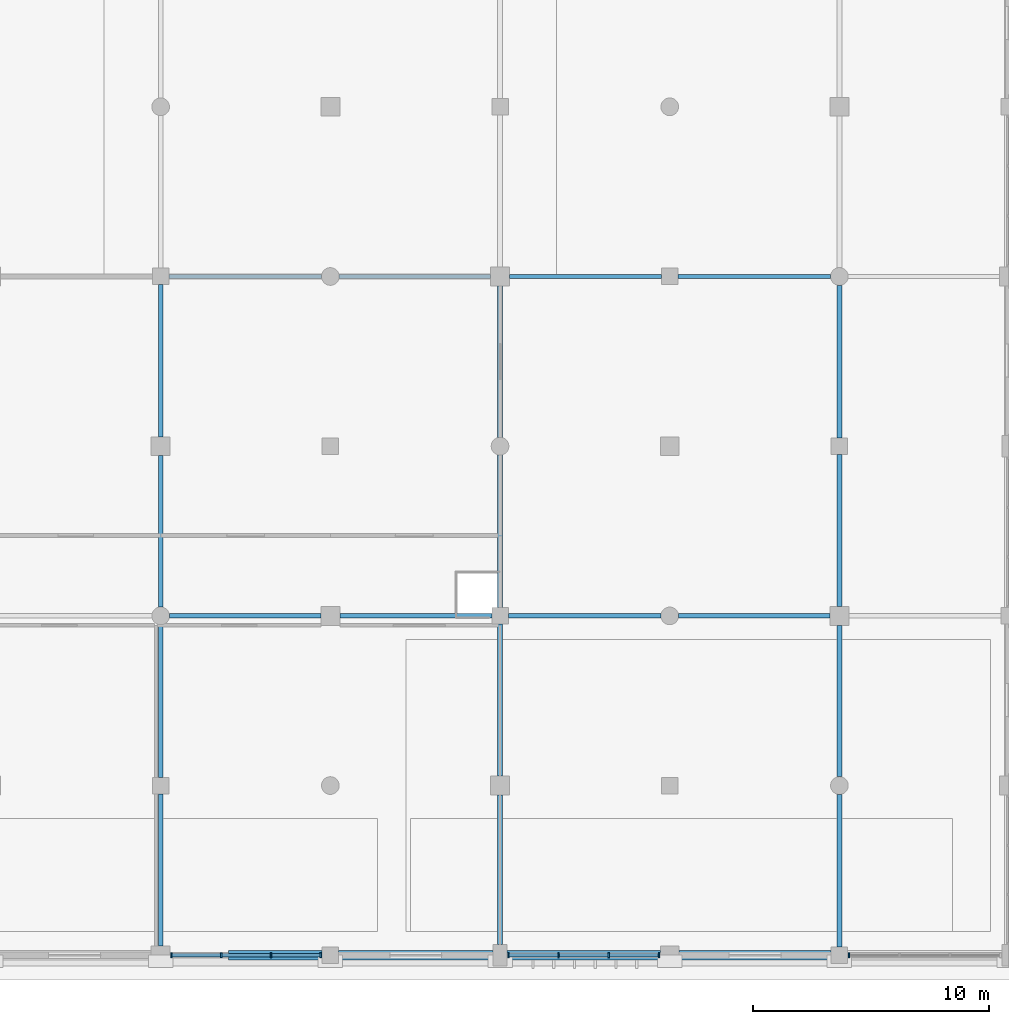
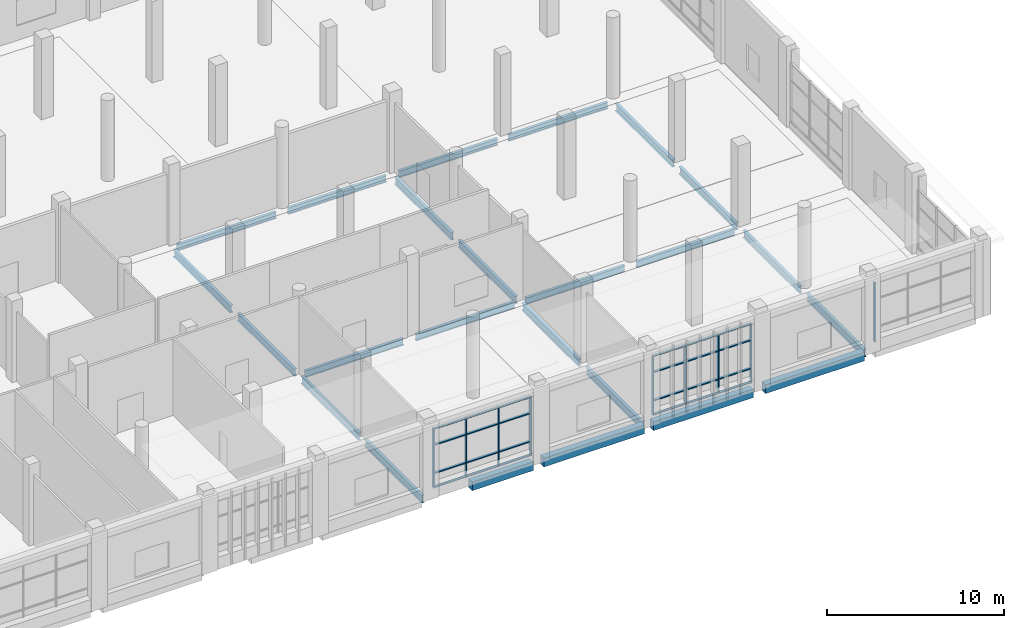
# One storey, part 29 of 80: 33 members, 24 beams, 3 elements without a shape of their own.
"""IFC4 building model written with IfcOpenShell, lengths in metres."""

from ifc_helpers import new_model, si_unit, direction, frame, origin, origin_2d, place, context, subcontext, project, spatial, rectangle, i_section, extrude, material, material_profile, profile_set, type_object, element, aggregate, save


model = new_model("IFC4")

# Units and contexts
model_context = context("Model", 3, precision=1e-05, world=origin(), true_north=direction((0.0, 1.0)))
body_context = subcontext(model_context, "Body", "Model", "MODEL_VIEW")
ifc_project = project(units=[si_unit("LENGTHUNIT", "METRE"), si_unit("AREAUNIT", "SQUARE_METRE"), si_unit("VOLUMEUNIT", "CUBIC_METRE"), si_unit("PLANEANGLEUNIT", "RADIAN"), si_unit("MASSUNIT", "GRAM", prefix="KILO")], contexts=[model_context])

# Site, building, storey
site_placement = place(None, origin())
site = spatial("IfcSite", under=ifc_project, at=site_placement, CompositionType="ELEMENT")
building_placement = place(site_placement, origin())
building = spatial("IfcBuilding", under=site, at=building_placement, Name="Sardonyx Promenade Sports Hall", CompositionType="ELEMENT")
storey_placement = place(building_placement, frame((0.0, 0.0, 5.60009765625)))
storey = spatial("IfcBuildingStorey", under=building, at=storey_placement, Name="L01", CompositionType="ELEMENT", Elevation=5.60009765625)

# Beams
ifc_material_1 = material(Name="Steel S355JR", Category="steel")
ifc_material_profile_1 = material_profile(ifc_material_1, i_section(OverallWidth=0.18994140625, OverallDepth=0.453369140625, WebThickness=0.008544921875, FlangeThickness=0.0126953125, at=origin_2d()))
ifc_profile_set_1 = profile_set([ifc_material_profile_1], Name="Steel S355JR")
beam_type_1 = type_object("IfcBeamType", Name="Bm_Girder_UB457", PredefinedType="BEAM", material=ifc_profile_set_1)
beam_1_placement = place(storey_placement, frame((129.97509765625, 14.39990234375, -0.5068359375), z_axis=(1.0, 0.0, 0.0), x_axis=(0.0, 1.0, 0.0)))
element("IfcBeam", 1, at=beam_1_placement, inside=storey, type_object=beam_type_1, Name="Beam SB01 L01 #203", PredefinedType="BEAM", context=body_context, shape_type="SweptSolid", body=[
    extrude(i_section(OverallWidth=0.18994140625, OverallDepth=0.453369140625, WebThickness=0.008544921875, FlangeThickness=0.0126953125, at=origin_2d()), origin(), (0.0, 0.0, 1.0), 6.4248046875),
])
beam_2_placement = place(storey_placement, frame((137.199951171875, 14.39990234375, -0.5068359375), z_axis=(1.0, 0.0, 0.0), x_axis=(0.0, 1.0, 0.0)))
element("IfcBeam", 2, at=beam_2_placement, inside=storey, type_object=beam_type_1, Name="Beam SB01 L01 #204", PredefinedType="BEAM", context=body_context, shape_type="SweptSolid", body=[
    extrude(i_section(OverallWidth=0.18994140625, OverallDepth=0.453369140625, WebThickness=0.008544921875, FlangeThickness=0.0126953125, at=origin_2d()), origin(), (0.0, 0.0, 1.0), 6.449951171875),
])
beam_3_placement = place(storey_placement, frame((144.35009765625, 14.39990234375, -0.516845703125), z_axis=(1.0, 0.0, 0.0), x_axis=(0.0, 1.0, 0.0)))
element("IfcBeam", 3, at=beam_3_placement, inside=storey, type_object=beam_type_1, Name="Beam SB01 L01 #205", PredefinedType="BEAM", context=body_context, shape_type="SweptSolid", body=[
    extrude(i_section(OverallWidth=0.18994140625, OverallDepth=0.453369140625, WebThickness=0.008544921875, FlangeThickness=0.0126953125, at=origin_2d()), origin(), (0.0, 0.0, 1.0), 6.474853515625),
])
beam_4_placement = place(storey_placement, frame((151.574951171875, 14.39990234375, -0.516845703125), z_axis=(1.0, 0.0, 0.0), x_axis=(0.0, 1.0, 0.0)))
element("IfcBeam", 4, at=beam_4_placement, inside=storey, type_object=beam_type_1, Name="Beam SB01 L01 #206", PredefinedType="BEAM", context=body_context, shape_type="SweptSolid", body=[
    extrude(i_section(OverallWidth=0.18994140625, OverallDepth=0.453369140625, WebThickness=0.008544921875, FlangeThickness=0.0126953125, at=origin_2d()), origin(), (0.0, 0.0, 1.0), 6.425048828125),
])
beam_5_placement = place(storey_placement, frame((129.949951171875, 28.800048828125, -0.516845703125), z_axis=(1.0, 0.0, 0.0), x_axis=(0.0, 1.0, 0.0)))
element("IfcBeam", 5, at=beam_5_placement, inside=storey, type_object=beam_type_1, Name="Beam SB01 L01 #226", PredefinedType="BEAM", context=body_context, shape_type="SweptSolid", body=[
    extrude(i_section(OverallWidth=0.18994140625, OverallDepth=0.453369140625, WebThickness=0.008544921875, FlangeThickness=0.0126953125, at=origin_2d()), origin(), (0.0, 0.0, 1.0), 6.47509765625),
])
beam_6_placement = place(storey_placement, frame((137.175048828125, 28.800048828125, -0.516845703125), z_axis=(1.0, 0.0, 0.0), x_axis=(0.0, 1.0, 0.0)))
element("IfcBeam", 6, at=beam_6_placement, inside=storey, type_object=beam_type_1, Name="Beam SB01 L01 #227", PredefinedType="BEAM", context=body_context, shape_type="SweptSolid", body=[
    extrude(i_section(OverallWidth=0.18994140625, OverallDepth=0.453369140625, WebThickness=0.008544921875, FlangeThickness=0.0126953125, at=origin_2d()), origin(), (0.0, 0.0, 1.0), 6.425048828125),
])
beam_7_placement = place(storey_placement, frame((144.39990234375, 28.800048828125, -0.516845703125), z_axis=(1.0, 0.0, 0.0), x_axis=(0.0, 1.0, 0.0)))
element("IfcBeam", 7, at=beam_7_placement, inside=storey, type_object=beam_type_1, Name="Beam SB01 L01 #228", PredefinedType="BEAM", context=body_context, shape_type="SweptSolid", body=[
    extrude(i_section(OverallWidth=0.18994140625, OverallDepth=0.453369140625, WebThickness=0.008544921875, FlangeThickness=0.0126953125, at=origin_2d()), origin(), (0.0, 0.0, 1.0), 6.4501953125),
])
beam_8_placement = place(storey_placement, frame((151.550048828125, 28.800048828125, -0.516845703125), z_axis=(1.0, 0.0, 0.0), x_axis=(0.0, 1.0, 0.0)))
element("IfcBeam", 8, at=beam_8_placement, inside=storey, type_object=beam_type_1, Name="Beam SB01 L01 #229", PredefinedType="BEAM", context=body_context, shape_type="SweptSolid", body=[
    extrude(i_section(OverallWidth=0.18994140625, OverallDepth=0.453369140625, WebThickness=0.008544921875, FlangeThickness=0.0126953125, at=origin_2d()), origin(), (0.0, 0.0, 1.0), 6.474853515625),
])
ifc_material_2 = material(Name="Steel S355JR", Category="steel")
ifc_material_profile_2 = material_profile(ifc_material_2, i_section(OverallWidth=0.199951171875, OverallDepth=0.5, WebThickness=0.01025390625, FlangeThickness=0.01611328125, at=origin_2d()))
ifc_profile_set_2 = profile_set([ifc_material_profile_2], Name="Steel S355JR")
beam_type_2 = type_object("IfcBeamType", Name="Bm_Primary_IPE500", PredefinedType="BEAM", material=ifc_profile_set_2)
beam_9_placement = place(storey_placement, frame((129.60009765625, 0.39990234375, -0.530029296875), z_axis=(0.0, 1.0, 0.0), x_axis=(-1.0, 0.0, 0.0)))
element("IfcBeam", 9, at=beam_9_placement, inside=storey, type_object=beam_type_2, Name="Beam SB06 L01 #405", PredefinedType="BEAM", context=body_context, shape_type="SweptSolid", body=[
    extrude(i_section(OverallWidth=0.199951171875, OverallDepth=0.5, WebThickness=0.01025390625, FlangeThickness=0.01611328125, at=origin_2d()), origin(), (0.0, 0.0, 1.0), 6.4501953125),
])
beam_10_placement = place(storey_placement, frame((129.60009765625, 7.550048828125, -0.530029296875), z_axis=(0.0, 1.0, 0.0), x_axis=(-1.0, 0.0, 0.0)))
element("IfcBeam", 10, at=beam_10_placement, inside=storey, type_object=beam_type_2, Name="Beam SB06 L01 #406", PredefinedType="BEAM", context=body_context, shape_type="SweptSolid", body=[
    extrude(i_section(OverallWidth=0.199951171875, OverallDepth=0.5, WebThickness=0.01025390625, FlangeThickness=0.01611328125, at=origin_2d()), origin(), (0.0, 0.0, 1.0), 6.474853515625),
])
beam_11_placement = place(storey_placement, frame((129.60009765625, 14.77490234375, -0.530029296875), z_axis=(0.0, 1.0, 0.0), x_axis=(-1.0, 0.0, 0.0)))
element("IfcBeam", 11, at=beam_11_placement, inside=storey, type_object=beam_type_2, Name="Beam SB06 L01 #407", PredefinedType="BEAM", context=body_context, shape_type="SweptSolid", body=[
    extrude(i_section(OverallWidth=0.199951171875, OverallDepth=0.5, WebThickness=0.01025390625, FlangeThickness=0.01611328125, at=origin_2d()), origin(), (0.0, 0.0, 1.0), 6.425048828125),
])
beam_12_placement = place(storey_placement, frame((129.60009765625, 22.0, -0.530029296875), z_axis=(0.0, 1.0, 0.0), x_axis=(-1.0, 0.0, 0.0)))
element("IfcBeam", 12, at=beam_12_placement, inside=storey, type_object=beam_type_2, Name="Beam SB06 L01 #408", PredefinedType="BEAM", context=body_context, shape_type="SweptSolid", body=[
    extrude(i_section(OverallWidth=0.199951171875, OverallDepth=0.5, WebThickness=0.01025390625, FlangeThickness=0.01611328125, at=origin_2d()), origin(), (0.0, 0.0, 1.0), 6.449951171875),
])
beam_13_placement = place(storey_placement, frame((144.0, 0.449951171875, -0.5400390625), z_axis=(0.0, 1.0, 0.0), x_axis=(-1.0, 0.0, 0.0)))
element("IfcBeam", 13, at=beam_13_placement, inside=storey, type_object=beam_type_2, Name="Beam SB06 L01 #414", PredefinedType="BEAM", context=body_context, shape_type="SweptSolid", body=[
    extrude(i_section(OverallWidth=0.199951171875, OverallDepth=0.5, WebThickness=0.01025390625, FlangeThickness=0.01611328125, at=origin_2d()), origin(), (0.0, 0.0, 1.0), 6.35009765625),
])
beam_14_placement = place(storey_placement, frame((144.0, 7.60009765625, -0.5400390625), z_axis=(0.0, 1.0, 0.0), x_axis=(-1.0, 0.0, 0.0)))
element("IfcBeam", 14, at=beam_14_placement, inside=storey, type_object=beam_type_2, Name="Beam SB06 L01 #415", PredefinedType="BEAM", context=body_context, shape_type="SweptSolid", body=[
    extrude(i_section(OverallWidth=0.199951171875, OverallDepth=0.5, WebThickness=0.01025390625, FlangeThickness=0.01611328125, at=origin_2d()), origin(), (0.0, 0.0, 1.0), 6.449951171875),
])
beam_15_placement = place(storey_placement, frame((144.0, 14.75, -0.5400390625), z_axis=(0.0, 1.0, 0.0), x_axis=(-1.0, 0.0, 0.0)))
element("IfcBeam", 15, at=beam_15_placement, inside=storey, type_object=beam_type_2, Name="Beam SB06 L01 #416", PredefinedType="BEAM", context=body_context, shape_type="SweptSolid", body=[
    extrude(i_section(OverallWidth=0.199951171875, OverallDepth=0.5, WebThickness=0.01025390625, FlangeThickness=0.01611328125, at=origin_2d()), origin(), (0.0, 0.0, 1.0), 6.47509765625),
])
beam_16_placement = place(storey_placement, frame((144.0, 21.97509765625, -0.5400390625), z_axis=(0.0, 1.0, 0.0), x_axis=(-1.0, 0.0, 0.0)))
element("IfcBeam", 16, at=beam_16_placement, inside=storey, type_object=beam_type_2, Name="Beam SB06 L01 #417", PredefinedType="BEAM", context=body_context, shape_type="SweptSolid", body=[
    extrude(i_section(OverallWidth=0.199951171875, OverallDepth=0.5, WebThickness=0.01025390625, FlangeThickness=0.01611328125, at=origin_2d()), origin(), (0.0, 0.0, 1.0), 6.4248046875),
])
beam_17_placement = place(storey_placement, frame((158.39990234375, 0.35009765625, -0.5400390625), z_axis=(0.0, 1.0, 0.0), x_axis=(-1.0, 0.0, 0.0)))
element("IfcBeam", 17, at=beam_17_placement, inside=storey, type_object=beam_type_2, Name="Beam SB06 L01 #423", PredefinedType="BEAM", context=body_context, shape_type="SweptSolid", body=[
    extrude(i_section(OverallWidth=0.199951171875, OverallDepth=0.5, WebThickness=0.01025390625, FlangeThickness=0.01611328125, at=origin_2d()), origin(), (0.0, 0.0, 1.0), 6.474853515625),
])
beam_18_placement = place(storey_placement, frame((158.39990234375, 7.574951171875, -0.5400390625), z_axis=(0.0, 1.0, 0.0), x_axis=(-1.0, 0.0, 0.0)))
element("IfcBeam", 18, at=beam_18_placement, inside=storey, type_object=beam_type_2, Name="Beam SB06 L01 #424", PredefinedType="BEAM", context=body_context, shape_type="SweptSolid", body=[
    extrude(i_section(OverallWidth=0.199951171875, OverallDepth=0.5, WebThickness=0.01025390625, FlangeThickness=0.01611328125, at=origin_2d()), origin(), (0.0, 0.0, 1.0), 6.425048828125),
])
beam_19_placement = place(storey_placement, frame((158.39990234375, 14.800048828125, -0.5400390625), z_axis=(0.0, 1.0, 0.0), x_axis=(-1.0, 0.0, 0.0)))
element("IfcBeam", 19, at=beam_19_placement, inside=storey, type_object=beam_type_2, Name="Beam SB06 L01 #425", PredefinedType="BEAM", context=body_context, shape_type="SweptSolid", body=[
    extrude(i_section(OverallWidth=0.199951171875, OverallDepth=0.5, WebThickness=0.01025390625, FlangeThickness=0.01611328125, at=origin_2d()), origin(), (0.0, 0.0, 1.0), 6.449951171875),
])
beam_20_placement = place(storey_placement, frame((158.39990234375, 21.949951171875, -0.5400390625), z_axis=(0.0, 1.0, 0.0), x_axis=(-1.0, 0.0, 0.0)))
element("IfcBeam", 20, at=beam_20_placement, inside=storey, type_object=beam_type_2, Name="Beam SB06 L01 #426", PredefinedType="BEAM", context=body_context, shape_type="SweptSolid", body=[
    extrude(i_section(OverallWidth=0.199951171875, OverallDepth=0.5, WebThickness=0.01025390625, FlangeThickness=0.01611328125, at=origin_2d()), origin(), (0.0, 0.0, 1.0), 6.47509765625),
])
ifc_material_3 = material(Name="Concrete C40/50", Category="concrete")
ifc_material_profile_3 = material_profile(ifc_material_3, rectangle(XDim=0.39990234375, YDim=0.60009765625, at=origin_2d()))
ifc_profile_set_3 = profile_set([ifc_material_profile_3], Name="Concrete C40/50")
beam_type_3 = type_object("IfcBeamType", Name="Bm_Spandrel_RC600", PredefinedType="SPANDREL", material=ifc_profile_set_3)
beam_21_placement = place(storey_placement, frame((132.47509765625, 0.0, -0.300048828125), z_axis=(1.0, 0.0, 0.0), x_axis=(0.0, 1.0, 0.0)))
element("IfcBeam", 21, at=beam_21_placement, inside=storey, type_object=beam_type_3, Name="Beam SPB1 L01 #180", PredefinedType="SPANDREL", context=body_context, shape_type="SweptSolid", body=[
    extrude(rectangle(XDim=0.39990234375, YDim=0.60009765625, at=origin_2d()), origin(), (0.0, 0.0, 1.0), 3.974853515625),
])
beam_22_placement = place(storey_placement, frame((137.14990234375, 0.0, -0.300048828125), z_axis=(1.0, 0.0, 0.0), x_axis=(0.0, 1.0, 0.0)))
element("IfcBeam", 22, at=beam_22_placement, inside=storey, type_object=beam_type_3, Name="Beam SPB1 L01 #181", PredefinedType="SPANDREL", context=body_context, shape_type="SweptSolid", body=[
    extrude(rectangle(XDim=0.39990234375, YDim=0.60009765625, at=origin_2d()), origin(), (0.0, 0.0, 1.0), 6.550048828125),
])
beam_23_placement = place(storey_placement, frame((144.300048828125, 0.0, -0.300048828125), z_axis=(1.0, 0.0, 0.0), x_axis=(0.0, 1.0, 0.0)))
element("IfcBeam", 23, at=beam_23_placement, inside=storey, type_object=beam_type_3, Name="Beam SPB1 L01 #182", PredefinedType="SPANDREL", context=body_context, shape_type="SweptSolid", body=[
    extrude(rectangle(XDim=0.39990234375, YDim=0.60009765625, at=origin_2d()), origin(), (0.0, 0.0, 1.0), 6.5),
])
beam_24_placement = place(storey_placement, frame((151.60009765625, 0.0, -0.300048828125), z_axis=(1.0, 0.0, 0.0), x_axis=(0.0, 1.0, 0.0)))
element("IfcBeam", 24, at=beam_24_placement, inside=storey, type_object=beam_type_3, Name="Beam SPB1 L01 #183", PredefinedType="SPANDREL", context=body_context, shape_type="SweptSolid", body=[
    extrude(rectangle(XDim=0.39990234375, YDim=0.60009765625, at=origin_2d()), origin(), (0.0, 0.0, 1.0), 6.449951171875),
])

# Curtain wall, member
ifc_material_4 = material(Name="Aluminium 6063-T6", Category="aluminium")
curtain_wall_type = type_object("IfcCurtainWallType", Name="CW_South_L01_640", PredefinedType="USERDEFINED", material=ifc_material_4)
curtain_wall_1_placement = place(storey_placement, origin())
curtain_wall_1 = element("IfcCurtainWall", 25, at=curtain_wall_1_placement, inside=storey, type_object=curtain_wall_type, Name="Curtain wall CW08 cw:L01:017", ObjectType="CURTAIN WALL", PredefinedType="USERDEFINED")
ifc_material_5 = material(Name="Aluminium 6063-T6", Category="aluminium")
ifc_material_profile_4 = material_profile(ifc_material_5, rectangle(XDim=0.070068359375, YDim=0.199951171875, at=origin_2d()))
ifc_profile_set_4 = profile_set([ifc_material_profile_4], Name="Aluminium 6063-T6")
member_type_1 = type_object("IfcMemberType", Name="CW_Mull_200", PredefinedType="MULLION", material=ifc_profile_set_4)
member_1_placement = place(storey_placement, frame((158.804931640625, 0.0, 0.349853515625), z_axis=(0.0, 0.0, 1.0), x_axis=(-1.0, 0.0, 0.0)))
member_1 = element("IfcMember", 26, at=member_1_placement, type_object=member_type_1, Name="Mullion CM03 cw:L01:017 #4", PredefinedType="MULLION", context=body_context, shape_type="SweptSolid", body=[
    extrude(rectangle(XDim=0.070068359375, YDim=0.199951171875, at=origin_2d()), origin(), (0.0, 0.0, 1.0), 4.10009765625),
])
aggregate(curtain_wall_1, [member_1])

# Curtain wall, members
curtain_wall_2_placement = place(storey_placement, origin())
curtain_wall_2 = element("IfcCurtainWall", 27, at=curtain_wall_2_placement, inside=storey, type_object=curtain_wall_type, Name="Curtain wall CW08 cw:L01:018", ObjectType="CURTAIN WALL", PredefinedType="USERDEFINED")
member_2_placement = place(storey_placement, frame((150.7451171875, 0.0, 0.349853515625), z_axis=(0.0, 0.0, 1.0), x_axis=(-1.0, 0.0, 0.0)))
member_2 = element("IfcMember", 28, at=member_2_placement, type_object=member_type_1, Name="Mullion CM03 cw:L01:018 #1", PredefinedType="MULLION", context=body_context, shape_type="SweptSolid", body=[
    extrude(rectangle(XDim=0.070068359375, YDim=0.199951171875, at=origin_2d()), origin(), (0.0, 0.0, 1.0), 4.10009765625),
])
member_3_placement = place(storey_placement, frame((148.614990234375, 0.0, 0.349853515625), z_axis=(0.0, 0.0, 1.0), x_axis=(-1.0, 0.0, 0.0)))
member_3 = element("IfcMember", 29, at=member_3_placement, type_object=member_type_1, Name="Mullion CM03 cw:L01:018 #2", PredefinedType="MULLION", context=body_context, shape_type="SweptSolid", body=[
    extrude(rectangle(XDim=0.070068359375, YDim=0.199951171875, at=origin_2d()), origin(), (0.0, 0.0, 1.0), 4.10009765625),
])
member_4_placement = place(storey_placement, frame((146.485107421875, 0.0, 0.349853515625), z_axis=(0.0, 0.0, 1.0), x_axis=(-1.0, 0.0, 0.0)))
member_4 = element("IfcMember", 30, at=member_4_placement, type_object=member_type_1, Name="Mullion CM03 cw:L01:018 #3", PredefinedType="MULLION", context=body_context, shape_type="SweptSolid", body=[
    extrude(rectangle(XDim=0.070068359375, YDim=0.199951171875, at=origin_2d()), origin(), (0.0, 0.0, 1.0), 4.10009765625),
])
member_5_placement = place(storey_placement, frame((144.35498046875, 0.0, 0.349853515625), z_axis=(0.0, 0.0, 1.0), x_axis=(-1.0, 0.0, 0.0)))
member_5 = element("IfcMember", 31, at=member_5_placement, type_object=member_type_1, Name="Mullion CM03 cw:L01:018 #4", PredefinedType="MULLION", context=body_context, shape_type="SweptSolid", body=[
    extrude(rectangle(XDim=0.070068359375, YDim=0.199951171875, at=origin_2d()), origin(), (0.0, 0.0, 1.0), 4.10009765625),
])

curtain_wall_3_placement = place(storey_placement, origin())
curtain_wall_3 = element("IfcCurtainWall", 32, at=curtain_wall_3_placement, inside=storey, type_object=curtain_wall_type, Name="Curtain wall CW08 cw:L01:019", ObjectType="CURTAIN WALL", PredefinedType="USERDEFINED")
member_6_placement = place(storey_placement, frame((136.39501953125, 0.0, 0.349853515625), z_axis=(0.0, 0.0, 1.0), x_axis=(-1.0, 0.0, 0.0)))
member_6 = element("IfcMember", 33, at=member_6_placement, type_object=member_type_1, Name="Mullion CM03 cw:L01:019 #1", PredefinedType="MULLION", context=body_context, shape_type="SweptSolid", body=[
    extrude(rectangle(XDim=0.070068359375, YDim=0.199951171875, at=origin_2d()), origin(), (0.0, 0.0, 1.0), 4.10009765625),
])
member_7_placement = place(storey_placement, frame((134.28173828125, 0.0, 0.349853515625), z_axis=(0.0, 0.0, 1.0), x_axis=(-1.0, 0.0, 0.0)))
member_7 = element("IfcMember", 34, at=member_7_placement, type_object=member_type_1, Name="Mullion CM03 cw:L01:019 #2", PredefinedType="MULLION", context=body_context, shape_type="SweptSolid", body=[
    extrude(rectangle(XDim=0.070068359375, YDim=0.199951171875, at=origin_2d()), origin(), (0.0, 0.0, 1.0), 4.10009765625),
])
member_8_placement = place(storey_placement, frame((132.168212890625, 0.0, 0.349853515625), z_axis=(0.0, 0.0, 1.0), x_axis=(-1.0, 0.0, 0.0)))
member_8 = element("IfcMember", 35, at=member_8_placement, type_object=member_type_1, Name="Mullion CM03 cw:L01:019 #3", PredefinedType="MULLION", context=body_context, shape_type="SweptSolid", body=[
    extrude(rectangle(XDim=0.070068359375, YDim=0.199951171875, at=origin_2d()), origin(), (0.0, 0.0, 1.0), 4.10009765625),
])
member_9_placement = place(storey_placement, frame((130.054931640625, 0.0, 0.349853515625), z_axis=(0.0, 0.0, 1.0), x_axis=(-1.0, 0.0, 0.0)))
member_9 = element("IfcMember", 36, at=member_9_placement, type_object=member_type_1, Name="Mullion CM03 cw:L01:019 #4", PredefinedType="MULLION", context=body_context, shape_type="SweptSolid", body=[
    extrude(rectangle(XDim=0.070068359375, YDim=0.199951171875, at=origin_2d()), origin(), (0.0, 0.0, 1.0), 4.10009765625),
])

# Member
ifc_material_6 = material(Name="Aluminium 6063-T6", Category="aluminium")
ifc_material_profile_5 = material_profile(ifc_material_6, rectangle(XDim=0.070068359375, YDim=0.159912109375, at=origin_2d()))
ifc_profile_set_5 = profile_set([ifc_material_profile_5], Name="Aluminium 6063-T6")
member_type_2 = type_object("IfcMemberType", Name="CW_Tran_160", PredefinedType="USERDEFINED", material=ifc_profile_set_5)
member_10_placement = place(storey_placement, frame((150.7099609375, 0.0, 0.385009765625), z_axis=(-1.0, 0.0, 0.0), x_axis=(0.0, 0.0, 1.0)))
member_10 = element("IfcMember", 37, at=member_10_placement, type_object=member_type_2, Name="Transom CT03 cw:L01:018 #1", ObjectType="TRANSOM", PredefinedType="USERDEFINED", context=body_context, shape_type="SweptSolid", body=[
    extrude(rectangle(XDim=0.070068359375, YDim=0.159912109375, at=origin_2d()), origin(), (0.0, 0.0, 1.0), 2.06005859375),
])

member_11_placement = place(storey_placement, frame((150.7099609375, 0.0, 1.349853515625), z_axis=(-1.0, 0.0, 0.0), x_axis=(0.0, 0.0, 1.0)))
member_11 = element("IfcMember", 38, at=member_11_placement, type_object=member_type_2, Name="Transom CT03 cw:L01:018 #2", ObjectType="TRANSOM", PredefinedType="USERDEFINED", context=body_context, shape_type="SweptSolid", body=[
    extrude(rectangle(XDim=0.070068359375, YDim=0.159912109375, at=origin_2d()), origin(), (0.0, 0.0, 1.0), 2.06005859375),
])

member_12_placement = place(storey_placement, frame((150.7099609375, 0.0, 3.2998046875), z_axis=(-1.0, 0.0, 0.0), x_axis=(0.0, 0.0, 1.0)))
member_12 = element("IfcMember", 39, at=member_12_placement, type_object=member_type_2, Name="Transom CT03 cw:L01:018 #3", ObjectType="TRANSOM", PredefinedType="USERDEFINED", context=body_context, shape_type="SweptSolid", body=[
    extrude(rectangle(XDim=0.070068359375, YDim=0.159912109375, at=origin_2d()), origin(), (0.0, 0.0, 1.0), 2.06005859375),
])

member_13_placement = place(storey_placement, frame((150.7099609375, 0.0, 4.414794921875), z_axis=(-1.0, 0.0, 0.0), x_axis=(0.0, 0.0, 1.0)))
member_13 = element("IfcMember", 40, at=member_13_placement, type_object=member_type_2, Name="Transom CT03 cw:L01:018 #4", ObjectType="TRANSOM", PredefinedType="USERDEFINED", context=body_context, shape_type="SweptSolid", body=[
    extrude(rectangle(XDim=0.070068359375, YDim=0.159912109375, at=origin_2d()), origin(), (0.0, 0.0, 1.0), 2.06005859375),
])

member_14_placement = place(storey_placement, frame((148.580078125, 0.0, 0.385009765625), z_axis=(-1.0, 0.0, 0.0), x_axis=(0.0, 0.0, 1.0)))
member_14 = element("IfcMember", 41, at=member_14_placement, type_object=member_type_2, Name="Transom CT03 cw:L01:018 #5", ObjectType="TRANSOM", PredefinedType="USERDEFINED", context=body_context, shape_type="SweptSolid", body=[
    extrude(rectangle(XDim=0.070068359375, YDim=0.159912109375, at=origin_2d()), origin(), (0.0, 0.0, 1.0), 2.06005859375),
])

member_15_placement = place(storey_placement, frame((148.580078125, 0.0, 1.349853515625), z_axis=(-1.0, 0.0, 0.0), x_axis=(0.0, 0.0, 1.0)))
member_15 = element("IfcMember", 42, at=member_15_placement, type_object=member_type_2, Name="Transom CT03 cw:L01:018 #6", ObjectType="TRANSOM", PredefinedType="USERDEFINED", context=body_context, shape_type="SweptSolid", body=[
    extrude(rectangle(XDim=0.070068359375, YDim=0.159912109375, at=origin_2d()), origin(), (0.0, 0.0, 1.0), 2.06005859375),
])

member_16_placement = place(storey_placement, frame((148.580078125, 0.0, 3.2998046875), z_axis=(-1.0, 0.0, 0.0), x_axis=(0.0, 0.0, 1.0)))
member_16 = element("IfcMember", 43, at=member_16_placement, type_object=member_type_2, Name="Transom CT03 cw:L01:018 #7", ObjectType="TRANSOM", PredefinedType="USERDEFINED", context=body_context, shape_type="SweptSolid", body=[
    extrude(rectangle(XDim=0.070068359375, YDim=0.159912109375, at=origin_2d()), origin(), (0.0, 0.0, 1.0), 2.06005859375),
])

member_17_placement = place(storey_placement, frame((148.580078125, 0.0, 4.414794921875), z_axis=(-1.0, 0.0, 0.0), x_axis=(0.0, 0.0, 1.0)))
member_17 = element("IfcMember", 44, at=member_17_placement, type_object=member_type_2, Name="Transom CT03 cw:L01:018 #8", ObjectType="TRANSOM", PredefinedType="USERDEFINED", context=body_context, shape_type="SweptSolid", body=[
    extrude(rectangle(XDim=0.070068359375, YDim=0.159912109375, at=origin_2d()), origin(), (0.0, 0.0, 1.0), 2.06005859375),
])

member_18_placement = place(storey_placement, frame((146.449951171875, 0.0, 0.385009765625), z_axis=(-1.0, 0.0, 0.0), x_axis=(0.0, 0.0, 1.0)))
member_18 = element("IfcMember", 45, at=member_18_placement, type_object=member_type_2, Name="Transom CT03 cw:L01:018 #9", ObjectType="TRANSOM", PredefinedType="USERDEFINED", context=body_context, shape_type="SweptSolid", body=[
    extrude(rectangle(XDim=0.070068359375, YDim=0.159912109375, at=origin_2d()), origin(), (0.0, 0.0, 1.0), 2.06005859375),
])

member_19_placement = place(storey_placement, frame((146.449951171875, 0.0, 1.349853515625), z_axis=(-1.0, 0.0, 0.0), x_axis=(0.0, 0.0, 1.0)))
member_19 = element("IfcMember", 46, at=member_19_placement, type_object=member_type_2, Name="Transom CT03 cw:L01:018 #10", ObjectType="TRANSOM", PredefinedType="USERDEFINED", context=body_context, shape_type="SweptSolid", body=[
    extrude(rectangle(XDim=0.070068359375, YDim=0.159912109375, at=origin_2d()), origin(), (0.0, 0.0, 1.0), 2.06005859375),
])

member_20_placement = place(storey_placement, frame((146.449951171875, 0.0, 3.2998046875), z_axis=(-1.0, 0.0, 0.0), x_axis=(0.0, 0.0, 1.0)))
member_20 = element("IfcMember", 47, at=member_20_placement, type_object=member_type_2, Name="Transom CT03 cw:L01:018 #11", ObjectType="TRANSOM", PredefinedType="USERDEFINED", context=body_context, shape_type="SweptSolid", body=[
    extrude(rectangle(XDim=0.070068359375, YDim=0.159912109375, at=origin_2d()), origin(), (0.0, 0.0, 1.0), 2.06005859375),
])

member_21_placement = place(storey_placement, frame((146.449951171875, 0.0, 4.414794921875), z_axis=(-1.0, 0.0, 0.0), x_axis=(0.0, 0.0, 1.0)))
member_21 = element("IfcMember", 48, at=member_21_placement, type_object=member_type_2, Name="Transom CT03 cw:L01:018 #12", ObjectType="TRANSOM", PredefinedType="USERDEFINED", context=body_context, shape_type="SweptSolid", body=[
    extrude(rectangle(XDim=0.070068359375, YDim=0.159912109375, at=origin_2d()), origin(), (0.0, 0.0, 1.0), 2.06005859375),
])

aggregate(curtain_wall_2, [member_2, member_3, member_4, member_5, member_10, member_11, member_12, member_13, member_14, member_15, member_16, member_17, member_18, member_19, member_20, member_21])

member_22_placement = place(storey_placement, frame((136.360107421875, 0.0, 0.385009765625), z_axis=(-1.0, 0.0, 0.0), x_axis=(0.0, 0.0, 1.0)))
member_22 = element("IfcMember", 49, at=member_22_placement, type_object=member_type_2, Name="Transom CT03 cw:L01:019 #1", ObjectType="TRANSOM", PredefinedType="USERDEFINED", context=body_context, shape_type="SweptSolid", body=[
    extrude(rectangle(XDim=0.070068359375, YDim=0.159912109375, at=origin_2d()), origin(), (0.0, 0.0, 1.0), 2.04345703125),
])

member_23_placement = place(storey_placement, frame((136.360107421875, 0.0, 1.349853515625), z_axis=(-1.0, 0.0, 0.0), x_axis=(0.0, 0.0, 1.0)))
member_23 = element("IfcMember", 50, at=member_23_placement, type_object=member_type_2, Name="Transom CT03 cw:L01:019 #2", ObjectType="TRANSOM", PredefinedType="USERDEFINED", context=body_context, shape_type="SweptSolid", body=[
    extrude(rectangle(XDim=0.070068359375, YDim=0.159912109375, at=origin_2d()), origin(), (0.0, 0.0, 1.0), 2.04345703125),
])

member_24_placement = place(storey_placement, frame((136.360107421875, 0.0, 3.2998046875), z_axis=(-1.0, 0.0, 0.0), x_axis=(0.0, 0.0, 1.0)))
member_24 = element("IfcMember", 51, at=member_24_placement, type_object=member_type_2, Name="Transom CT03 cw:L01:019 #3", ObjectType="TRANSOM", PredefinedType="USERDEFINED", context=body_context, shape_type="SweptSolid", body=[
    extrude(rectangle(XDim=0.070068359375, YDim=0.159912109375, at=origin_2d()), origin(), (0.0, 0.0, 1.0), 2.04345703125),
])

member_25_placement = place(storey_placement, frame((136.360107421875, 0.0, 4.414794921875), z_axis=(-1.0, 0.0, 0.0), x_axis=(0.0, 0.0, 1.0)))
member_25 = element("IfcMember", 52, at=member_25_placement, type_object=member_type_2, Name="Transom CT03 cw:L01:019 #4", ObjectType="TRANSOM", PredefinedType="USERDEFINED", context=body_context, shape_type="SweptSolid", body=[
    extrude(rectangle(XDim=0.070068359375, YDim=0.159912109375, at=origin_2d()), origin(), (0.0, 0.0, 1.0), 2.04345703125),
])

member_26_placement = place(storey_placement, frame((134.24658203125, 0.0, 0.385009765625), z_axis=(-1.0, 0.0, 0.0), x_axis=(0.0, 0.0, 1.0)))
member_26 = element("IfcMember", 53, at=member_26_placement, type_object=member_type_2, Name="Transom CT03 cw:L01:019 #5", ObjectType="TRANSOM", PredefinedType="USERDEFINED", context=body_context, shape_type="SweptSolid", body=[
    extrude(rectangle(XDim=0.070068359375, YDim=0.159912109375, at=origin_2d()), origin(), (0.0, 0.0, 1.0), 2.043212890625),
])

member_27_placement = place(storey_placement, frame((134.24658203125, 0.0, 1.349853515625), z_axis=(-1.0, 0.0, 0.0), x_axis=(0.0, 0.0, 1.0)))
member_27 = element("IfcMember", 54, at=member_27_placement, type_object=member_type_2, Name="Transom CT03 cw:L01:019 #6", ObjectType="TRANSOM", PredefinedType="USERDEFINED", context=body_context, shape_type="SweptSolid", body=[
    extrude(rectangle(XDim=0.070068359375, YDim=0.159912109375, at=origin_2d()), origin(), (0.0, 0.0, 1.0), 2.043212890625),
])

member_28_placement = place(storey_placement, frame((134.24658203125, 0.0, 3.2998046875), z_axis=(-1.0, 0.0, 0.0), x_axis=(0.0, 0.0, 1.0)))
member_28 = element("IfcMember", 55, at=member_28_placement, type_object=member_type_2, Name="Transom CT03 cw:L01:019 #7", ObjectType="TRANSOM", PredefinedType="USERDEFINED", context=body_context, shape_type="SweptSolid", body=[
    extrude(rectangle(XDim=0.070068359375, YDim=0.159912109375, at=origin_2d()), origin(), (0.0, 0.0, 1.0), 2.043212890625),
])

member_29_placement = place(storey_placement, frame((134.24658203125, 0.0, 4.414794921875), z_axis=(-1.0, 0.0, 0.0), x_axis=(0.0, 0.0, 1.0)))
member_29 = element("IfcMember", 56, at=member_29_placement, type_object=member_type_2, Name="Transom CT03 cw:L01:019 #8", ObjectType="TRANSOM", PredefinedType="USERDEFINED", context=body_context, shape_type="SweptSolid", body=[
    extrude(rectangle(XDim=0.070068359375, YDim=0.159912109375, at=origin_2d()), origin(), (0.0, 0.0, 1.0), 2.043212890625),
])

member_30_placement = place(storey_placement, frame((132.13330078125, 0.0, 0.385009765625), z_axis=(-1.0, 0.0, 0.0), x_axis=(0.0, 0.0, 1.0)))
member_30 = element("IfcMember", 57, at=member_30_placement, type_object=member_type_2, Name="Transom CT03 cw:L01:019 #9", ObjectType="TRANSOM", PredefinedType="USERDEFINED", context=body_context, shape_type="SweptSolid", body=[
    extrude(rectangle(XDim=0.070068359375, YDim=0.159912109375, at=origin_2d()), origin(), (0.0, 0.0, 1.0), 2.043212890625),
])

member_31_placement = place(storey_placement, frame((132.13330078125, 0.0, 1.349853515625), z_axis=(-1.0, 0.0, 0.0), x_axis=(0.0, 0.0, 1.0)))
member_31 = element("IfcMember", 58, at=member_31_placement, type_object=member_type_2, Name="Transom CT03 cw:L01:019 #10", ObjectType="TRANSOM", PredefinedType="USERDEFINED", context=body_context, shape_type="SweptSolid", body=[
    extrude(rectangle(XDim=0.070068359375, YDim=0.159912109375, at=origin_2d()), origin(), (0.0, 0.0, 1.0), 2.043212890625),
])

member_32_placement = place(storey_placement, frame((132.13330078125, 0.0, 3.2998046875), z_axis=(-1.0, 0.0, 0.0), x_axis=(0.0, 0.0, 1.0)))
member_32 = element("IfcMember", 59, at=member_32_placement, type_object=member_type_2, Name="Transom CT03 cw:L01:019 #11", ObjectType="TRANSOM", PredefinedType="USERDEFINED", context=body_context, shape_type="SweptSolid", body=[
    extrude(rectangle(XDim=0.070068359375, YDim=0.159912109375, at=origin_2d()), origin(), (0.0, 0.0, 1.0), 2.043212890625),
])

member_33_placement = place(storey_placement, frame((132.13330078125, 0.0, 4.414794921875), z_axis=(-1.0, 0.0, 0.0), x_axis=(0.0, 0.0, 1.0)))
member_33 = element("IfcMember", 60, at=member_33_placement, type_object=member_type_2, Name="Transom CT03 cw:L01:019 #12", ObjectType="TRANSOM", PredefinedType="USERDEFINED", context=body_context, shape_type="SweptSolid", body=[
    extrude(rectangle(XDim=0.070068359375, YDim=0.159912109375, at=origin_2d()), origin(), (0.0, 0.0, 1.0), 2.043212890625),
])

aggregate(curtain_wall_3, [member_6, member_7, member_8, member_9, member_22, member_23, member_24, member_25, member_26, member_27, member_28, member_29, member_30, member_31, member_32, member_33])

save(model, "model.ifc")
